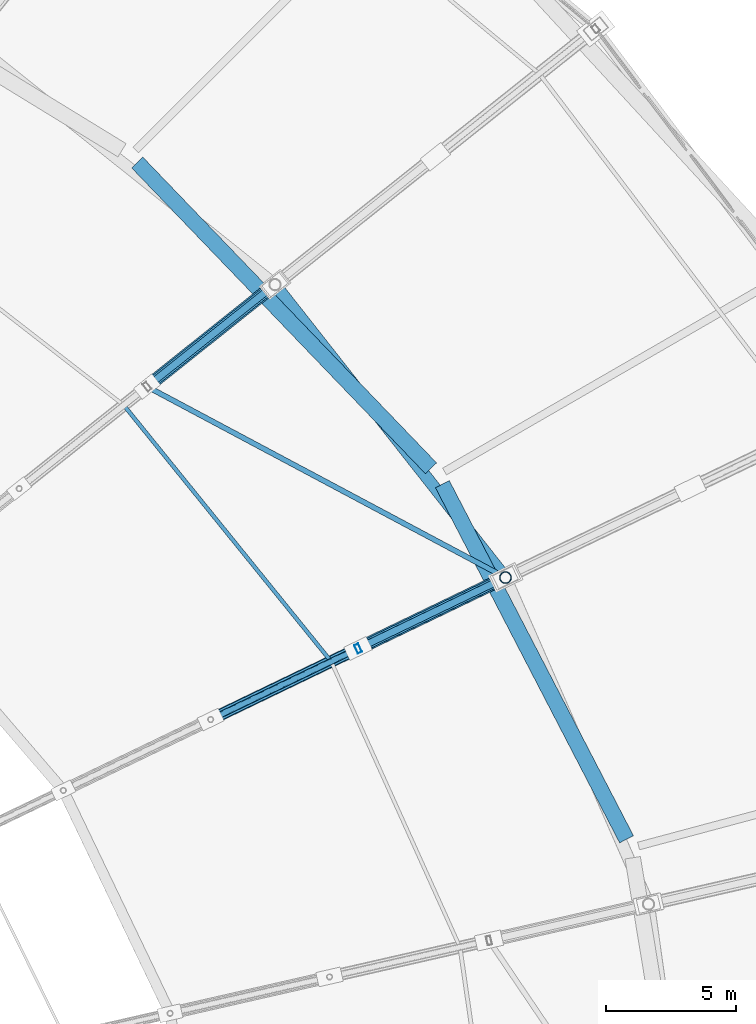
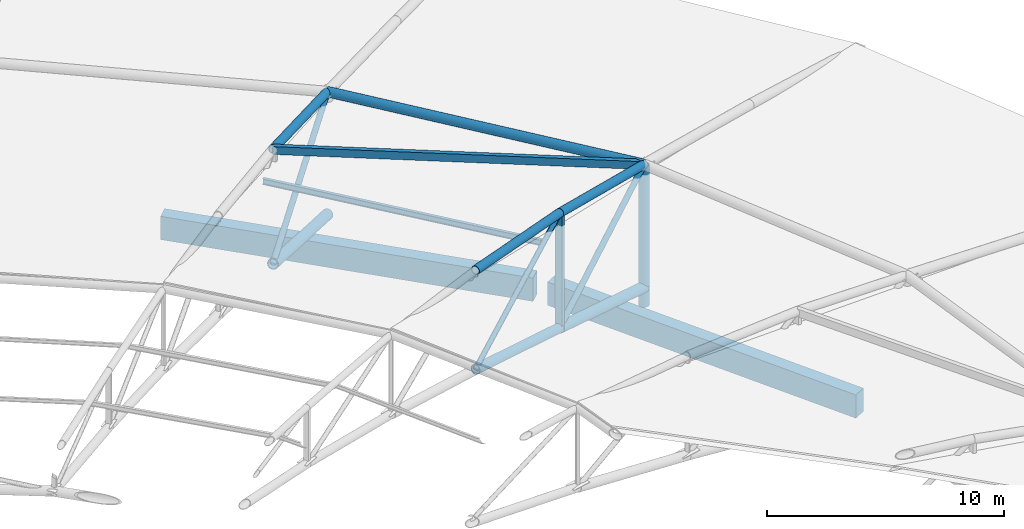
# One storey, part 78 of 108: 14 members, 2 beams.
"""IFC4 building model written with IfcOpenShell, lengths in metres."""

import ifcopenshell
import ifcopenshell.guid

model = None  # the IFC model being written
_history = None  # IfcOwnerHistory: only IFC2X3 demands one
_inside = {}  # id of a spatial element -> (the spatial element, [elements in it])
_under = {}  # id of a project, library or spatial element -> (it, [spatial elements below it])
_declared = {}  # id of a project -> (the project, [libraries it declares])
_typed = {}  # id of a type object -> (the type object, [elements of that type])
_made_of = {}  # id of a material, layer set ... -> (it, [elements and type objects made of it])


def new_model(schema):
    """Start an empty IFC model of exactly this schema.

    Asked for "IFC4X3", IfcOpenShell would pick the latest addendum, in which some entities
    have other attributes; the version numbers below select the first issue.
    IFC2X3 requires an IfcOwnerHistory on every rooted entity: one is made here for all.
    """
    global model, _history
    if schema == "IFC4X3":
        model = ifcopenshell.file(schema_version=(4, 3, 0, 0))
    else:
        model = ifcopenshell.file(schema=schema)
    _inside.clear()
    _under.clear()
    _declared.clear()
    _typed.clear()
    _made_of.clear()
    _history = None
    if model.schema == "IFC2X3":
        org = make("IfcOrganization", Name="unknown")
        user = make(
            "IfcPersonAndOrganization",
            ThePerson=make("IfcPerson", FamilyName="unknown"),
            TheOrganization=org,
        )
        app = make(
            "IfcApplication",
            ApplicationDeveloper=org,
            Version="unknown",
            ApplicationFullName="unknown",
            ApplicationIdentifier="unknown",
        )
        _history = make(
            "IfcOwnerHistory",
            OwningUser=user,
            OwningApplication=app,
            ChangeAction="ADDED",
            CreationDate=0,
        )
    return model


def make(cls, **values):
    """One entity of the class cls with the attributes given. An attribute that is None is left unset."""
    return model.create_entity(
        cls, **{name: value for name, value in values.items() if value is not None}
    )


def rooted(cls, **values):
    """An entity with a GlobalId (a new one), such as an element, a storey or a relation."""
    return make(cls, GlobalId=ifcopenshell.guid.new(), OwnerHistory=_history, **values)


def si_unit(unit_type, name, prefix=None):
    """IfcSIUnit, for example si_unit("LENGTHUNIT", "METRE", prefix="MILLI")."""
    return make("IfcSIUnit", UnitType=unit_type, Prefix=prefix, Name=name)


def assignment(units):
    """IfcUnitAssignment: the units of a project."""
    return None if units is None else make("IfcUnitAssignment", Units=units)


def point(xyz):
    """IfcCartesianPoint."""
    return None if xyz is None else make("IfcCartesianPoint", Coordinates=xyz)


def direction(xyz):
    """IfcDirection."""
    return None if xyz is None else make("IfcDirection", DirectionRatios=xyz)


def frame(location, z_axis=None, x_axis=None):
    """IfcAxis2Placement3D, a coordinate frame: its origin and axes. An axis left out is left unset."""
    return make(
        "IfcAxis2Placement3D",
        Location=point(location),
        Axis=direction(z_axis),
        RefDirection=direction(x_axis),
    )


def frame_2d(location, x_axis=None):
    """IfcAxis2Placement2D, a coordinate frame in the plane: its origin and x axis."""
    return make(
        "IfcAxis2Placement2D", Location=point(location), RefDirection=direction(x_axis)
    )


def origin():
    """The frame at (0, 0, 0) with its axes left unset."""
    return frame((0.0, 0.0, 0.0))


def origin_2d():
    """The frame at (0, 0) in the plane with its x axis left unset."""
    return frame_2d((0.0, 0.0))


def place(relative_to, where):
    """IfcLocalPlacement: puts the frame where relative to a parent placement (None: the world)."""
    return make(
        "IfcLocalPlacement", PlacementRelTo=relative_to, RelativePlacement=where
    )


def context(
    kind, dimensions, precision=None, world=None, true_north=None, identifier=None
):
    """IfcGeometricRepresentationContext, for example the 3D "Model" context."""
    return make(
        "IfcGeometricRepresentationContext",
        ContextIdentifier=identifier,
        ContextType=kind,
        CoordinateSpaceDimension=dimensions,
        Precision=precision,
        WorldCoordinateSystem=world,
        TrueNorth=true_north,
    )


def subcontext(parent, identifier, kind, view, scale=None):
    """IfcGeometricRepresentationSubContext, for example "Body" below "Model"."""
    return make(
        "IfcGeometricRepresentationSubContext",
        ContextIdentifier=identifier,
        ContextType=kind,
        ParentContext=parent,
        TargetScale=scale,
        TargetView=view,
    )


def project(units=None, contexts=None):
    """IfcProject with its units and contexts."""
    return rooted(
        "IfcProject",
        Name="project",
        RepresentationContexts=contexts,
        UnitsInContext=assignment(units),
    )


def spatial(cls, under=None, at=None, **own):
    """A site, building, storey or space (cls), placed at a placement, below another one or the project."""
    s = rooted(cls, ObjectPlacement=at, **own)
    if under is not None:
        _under.setdefault(under.id(), (under, []))[1].append(s)
    return s


def profile(cls, at=None, kind="AREA", **sizes):
    """A parametric profile (cls). Its sizes go by their IFC names, for example OverallWidth=200.0."""
    return make(cls, ProfileType=kind, Position=at, **sizes)


def rectangle(**sizes):
    """IfcRectangleProfileDef."""
    return profile("IfcRectangleProfileDef", **sizes)


def hollow_rectangle(**sizes):
    """IfcRectangleHollowProfileDef."""
    return profile("IfcRectangleHollowProfileDef", **sizes)


def hollow_circle(**sizes):
    """IfcCircleHollowProfileDef."""
    return profile("IfcCircleHollowProfileDef", **sizes)


def i_section(**sizes):
    """IfcIShapeProfileDef."""
    return profile("IfcIShapeProfileDef", **sizes)


def extrude(swept, where, along, depth):
    """IfcExtrudedAreaSolid: the profile swept, set in the frame where, extruded along a direction by depth."""
    return make(
        "IfcExtrudedAreaSolid",
        SweptArea=swept,
        Position=where,
        ExtrudedDirection=direction(along),
        Depth=depth,
    )


def shape(context_of_items, identifier, shape_type, items):
    """IfcShapeRepresentation: the items that make up one representation, for example the "Body"."""
    return make(
        "IfcShapeRepresentation",
        ContextOfItems=context_of_items,
        RepresentationIdentifier=identifier,
        RepresentationType=shape_type,
        Items=items,
    )


def material(Name=None, Category=None):
    """IfcMaterial."""
    return make("IfcMaterial", Name=Name, Category=Category)


def material_profile(
    of_material, cross_section, Name=None, Category=None, Priority=None
):
    """IfcMaterialProfile: a cross section and its material."""
    return make(
        "IfcMaterialProfile",
        Name=Name,
        Material=of_material,
        Profile=cross_section,
        Priority=Priority,
        Category=Category,
    )


def profile_set(profiles, Name=None, composite=None):
    """IfcMaterialProfileSet."""
    return make(
        "IfcMaterialProfileSet",
        Name=Name,
        MaterialProfiles=profiles,
        CompositeProfile=composite,
    )


def made_of(thing, what):
    """Note that an element or type object is made of a material, layer set ...; save() writes the relation."""
    if what is not None:
        _made_of.setdefault(what.id(), (what, []))[1].append(thing)
    return thing


def type_object(cls, material=None, **own):
    """A type object (cls), such as IfcWallType, which elements share."""
    return made_of(rooted(cls, **own), material)


def element(
    cls,
    number,
    at=None,
    inside=None,
    cuts=None,
    type_object=None,
    material=None,
    context=None,
    identifier="Body",
    shape_type=None,
    held_by="IfcProductDefinitionShape",
    body=None,
    shapes=None,
    **own,
):
    """One element of the class cls, such as IfcWall. Its Tag is "e" and its number.

    at: its placement. inside: the storey or other place that contains it. cuts: it is an
    opening in that element (IfcRelVoidsElement). A single representation is given by context,
    identifier, shape_type and body (its items); several are given by shapes. held_by: the class
    of the entity that holds the representations. save() writes the other relations.
    """
    e = rooted(cls, Tag="e%d" % number, ObjectPlacement=at, **own)
    if body is not None:
        shapes = [shape(context, identifier, shape_type, body)]
    if shapes is not None:
        e.Representation = make(held_by, Representations=shapes)
    if inside is not None:
        _inside.setdefault(inside.id(), (inside, []))[1].append(e)
    if cuts is not None:
        rooted(
            "IfcRelVoidsElement", RelatingBuildingElement=cuts, RelatedOpeningElement=e
        )
    if type_object is not None:
        _typed.setdefault(type_object.id(), (type_object, []))[1].append(e)
    return made_of(e, material)


def aggregate(whole, parts):
    """IfcRelAggregates: a whole, such as a stair, and the parts it consists of."""
    return rooted("IfcRelAggregates", RelatingObject=whole, RelatedObjects=parts)


def save(model, path):
    """Write the relations noted so far, then the file.

    IfcRelAggregates (storeys below a building ...), IfcRelContainedInSpatialStructure (elements
    in a storey), IfcRelDefinesByType, IfcRelAssociatesMaterial and IfcRelDeclares: one each for
    every whole, place, type object, material and project.
    """
    for whole, parts in _under.values():
        aggregate(whole, parts)
    for where, things in _inside.values():
        rooted(
            "IfcRelContainedInSpatialStructure",
            RelatedElements=things,
            RelatingStructure=where,
        )
    for kind, things in _typed.values():
        rooted("IfcRelDefinesByType", RelatedObjects=things, RelatingType=kind)
    for what, things in _made_of.values():
        rooted("IfcRelAssociatesMaterial", RelatedObjects=things, RelatingMaterial=what)
    for by, libraries in _declared.values():
        rooted("IfcRelDeclares", RelatingContext=by, RelatedDefinitions=libraries)
    model.write(path)


model = new_model("IFC4")

# Units and contexts
model_context = context("Model", 3, precision=1e-05, world=origin(), true_north=direction((0.0, 1.0)))
body_context = subcontext(model_context, "Body", "Model", "MODEL_VIEW")
ifc_project = project(units=[si_unit("LENGTHUNIT", "METRE"), si_unit("AREAUNIT", "SQUARE_METRE"), si_unit("VOLUMEUNIT", "CUBIC_METRE"), si_unit("PLANEANGLEUNIT", "RADIAN"), si_unit("MASSUNIT", "GRAM", prefix="KILO")], contexts=[model_context])

# Site, building, storey
site_placement = place(None, origin())
site = spatial("IfcSite", under=ifc_project, at=site_placement, CompositionType="ELEMENT")
building_placement = place(site_placement, origin())
building = spatial("IfcBuilding", under=site, at=building_placement, Name="Zevraka Park Crest Stadium", CompositionType="ELEMENT")
storey_placement = place(building_placement, frame((0.0, 0.0, 29.39990234375)))
storey = spatial("IfcBuildingStorey", under=building, at=storey_placement, Name="RF", CompositionType="ELEMENT", Elevation=29.39990234375)

# Member
ifc_material_1 = material(Name="Steel S355", Category="steel")
ifc_material_profile_1 = material_profile(ifc_material_1, i_section(OverallWidth=0.14990234375, OverallDepth=0.300048828125, WebThickness=0.007080078125, FlangeThickness=0.0107421875, at=origin_2d()), Name="IPE 300")
ifc_profile_set_1 = profile_set([ifc_material_profile_1], Name="Steel S355")
member_type_1 = type_object("IfcMemberType", Name="PR02", PredefinedType="PURLIN", material=ifc_profile_set_1)
member_1_placement = place(storey_placement, frame((172.410888671875, 114.583984375, 7.47314453125), z_axis=(-0.629088704104, 0.777333520677, 0.0), x_axis=(-0.777333520677, -0.629088704104, 0.0)))
element("IfcMember", 1, at=member_1_placement, inside=storey, type_object=member_type_1, Name="Canopy Roof Purlin PR02 OUTER-03-2", PredefinedType="PURLIN", context=body_context, shape_type="SweptSolid", body=[
    extrude(i_section(OverallWidth=0.14990234375, OverallDepth=0.300048828125, WebThickness=0.007080078125, FlangeThickness=0.0107421875, at=origin_2d()), origin(), (0.0, 0.0, 1.0), 12.697509765625),
])

# Beams
ifc_material_2 = material(Name="Concrete C40/50", Category="concrete")
ifc_material_profile_2 = material_profile(ifc_material_2, rectangle(XDim=0.60009765625, YDim=1.199951171875, at=origin_2d()), Name="RC 1200x600")
ifc_profile_set_2 = profile_set([ifc_material_profile_2], Name="Concrete C40/50")
beam_type = type_object("IfcBeamType", Name="RB01", PredefinedType="BEAM", material=ifc_profile_set_2)
beam_1_placement = place(storey_placement, frame((183.785888671875, 107.737060546875, -0.599853515625), z_axis=(-0.460343993973, 0.887740619333, 0.0), x_axis=(-0.887740619333, -0.460343993973, 0.0)))
element("IfcBeam", 2, at=beam_1_placement, inside=storey, type_object=beam_type, Name="Ring Beam RB01 RF-B-01", PredefinedType="BEAM", context=body_context, shape_type="SweptSolid", body=[
    extrude(rectangle(XDim=0.60009765625, YDim=1.199951171875, at=origin_2d()), origin(), (0.0, 0.0, 1.0), 15.405517578125),
])
beam_2_placement = place(storey_placement, frame((176.256103515625, 122.02392578125, -0.599853515625), z_axis=(-0.692852617328, 0.721079226342, 0.0), x_axis=(-0.721079226342, -0.692852617328, 0.0)))
element("IfcBeam", 3, at=beam_2_placement, inside=storey, type_object=beam_type, Name="Ring Beam RB01 RF-B-02", PredefinedType="BEAM", context=body_context, shape_type="SweptSolid", body=[
    extrude(rectangle(XDim=0.60009765625, YDim=1.199951171875, at=origin_2d()), origin(), (0.0, 0.0, 1.0), 16.329833984375),
])

# Members
ifc_material_3 = material(Name="Steel S355", Category="steel")
ifc_material_profile_3 = material_profile(ifc_material_3, hollow_circle(Radius=0.25390625, WallThickness=0.030029296875, at=origin_2d()), Name="CHS 508.0x30")
ifc_profile_set_3 = profile_set([ifc_material_profile_3], Name="Steel S355")
member_type_2 = type_object("IfcMemberType", Name="TC01", PredefinedType="CHORD", material=ifc_profile_set_3)
for number, where, z_axis, x_axis, name in (
    (4, (179.1220703125, 117.81591796875, 0.900146484375), (-0.874906219459, -0.42125253648, 0.238925527435), (0.433816783994, -0.901001108726, 0.0), "Roof Truss Bottom Chord TC01 T03-3"),
    (5, (170.24609375, 129.097900390625, 0.900146484375), (-0.759158693426, -0.605467913475, 0.238928198313), (0.623526977414, -0.781801834506, 0.0), "Roof Truss Bottom Chord TC01 T04-3"),
):
    element("IfcMember", number, at=place(storey_placement, frame(where, z_axis=z_axis, x_axis=x_axis)), inside=storey, type_object=member_type_2, Name=name, PredefinedType="CHORD", context=body_context, shape_type="SweptSolid", body=[
        extrude(hollow_circle(Radius=0.25390625, WallThickness=0.030029296875, at=origin_2d()), origin(), (0.0, 0.0, 1.0), 6.487548828125),
    ])
ifc_material_4 = material(Name="Steel S355", Category="steel")
ifc_material_profile_4 = material_profile(ifc_material_4, hollow_circle(Radius=0.228515625, WallThickness=0.02490234375, at=origin_2d()), Name="CHS 457.0x25")
ifc_profile_set_4 = profile_set([ifc_material_profile_4], Name="Steel S355")
member_type_3 = type_object("IfcMemberType", Name="TC02", PredefinedType="CHORD", material=ifc_profile_set_4)
member_2_placement = place(storey_placement, frame((179.1220703125, 117.81591796875, 0.0), z_axis=(0.0, 0.0, 1.0), x_axis=(0.90100131981, 0.43381634559, 0.0)))
element("IfcMember", 6, at=member_2_placement, inside=storey, type_object=member_type_3, Name="Roof Truss Anchor Strut TC02 T03-2", PredefinedType="CHORD", context=body_context, shape_type="SweptSolid", body=[
    extrude(hollow_circle(Radius=0.228515625, WallThickness=0.02490234375, at=origin_2d()), origin(), (0.0, 0.0, 1.0), 7.2001953125),
])
member_3_placement = place(storey_placement, frame((173.446044921875, 115.0830078125, 2.4501953125), z_axis=(-0.876441359224, -0.42214247239, 0.231616659257), x_axis=(0.433942615061, -0.900940512373, 0.0)))
element("IfcMember", 7, at=member_3_placement, inside=storey, type_object=member_type_3, Name="Roof Truss Bottom Chord TC02 T03-4", PredefinedType="CHORD", context=body_context, shape_type="SweptSolid", body=[
    extrude(hollow_circle(Radius=0.228515625, WallThickness=0.02490234375, at=origin_2d()), origin(), (0.0, 0.0, 1.0), 6.476318359375),
])
member_4_placement = place(storey_placement, frame((179.1220703125, 117.81591796875, 7.2001953125), z_axis=(-0.618319416276, 0.785926904652, 0.0), x_axis=(-0.785926904652, -0.618319416276, 0.0)))
element("IfcMember", 8, at=member_4_placement, inside=storey, type_object=member_type_3, Name="Roof Main Bowl-Rim Ring Chord TC02 03", PredefinedType="CHORD", context=body_context, shape_type="SweptSolid", body=[
    extrude(hollow_circle(Radius=0.228515625, WallThickness=0.02490234375, at=origin_2d()), origin(), (0.0, 0.0, 1.0), 14.35498046875),
])
ifc_material_5 = material(Name="Steel S355", Category="steel")
ifc_material_profile_5 = material_profile(ifc_material_5, hollow_circle(Radius=0.203125, WallThickness=0.02001953125, at=origin_2d()), Name="CHS 406.4x20")
ifc_profile_set_5 = profile_set([ifc_material_profile_5], Name="Steel S355")
member_type_4 = type_object("IfcMemberType", Name="TC03", PredefinedType="CHORD", material=ifc_profile_set_5)
member_5_placement = place(storey_placement, frame((179.1220703125, 117.81591796875, 7.2001953125), z_axis=(-0.886356119911, -0.426765469753, 0.179566317897), x_axis=(0.433816783994, -0.901001108726, 0.0)))
element("IfcMember", 9, at=member_5_placement, inside=storey, type_object=member_type_4, Name="Roof Truss Top Chord TC03 T03-3", PredefinedType="CHORD", context=body_context, shape_type="SweptSolid", body=[
    extrude(hollow_circle(Radius=0.203125, WallThickness=0.02001953125, at=origin_2d()), origin(), (0.0, 0.0, 1.0), 6.40380859375),
])
member_6_placement = place(storey_placement, frame((173.446044921875, 115.0830078125, 8.35009765625), z_axis=(-0.895431075511, -0.431288966561, 0.110421992064), x_axis=(0.433942615061, -0.900940512373, 0.0)))
element("IfcMember", 10, at=member_6_placement, inside=storey, type_object=member_type_4, Name="Roof Truss Top Chord TC03 T03-4", PredefinedType="CHORD", context=body_context, shape_type="SweptSolid", body=[
    extrude(hollow_circle(Radius=0.203125, WallThickness=0.02001953125, at=origin_2d()), origin(), (0.0, 0.0, 1.0), 6.3388671875),
])
member_7_placement = place(storey_placement, frame((170.24609375, 129.097900390625, 7.2001953125), z_axis=(-0.769094032143, -0.613391854615, 0.179568378099), x_axis=(0.623526977414, -0.781801834506, 0.0)))
element("IfcMember", 11, at=member_7_placement, inside=storey, type_object=member_type_4, Name="Roof Truss Top Chord TC03 T04-3", PredefinedType="CHORD", context=body_context, shape_type="SweptSolid", body=[
    extrude(hollow_circle(Radius=0.203125, WallThickness=0.02001953125, at=origin_2d()), origin(), (0.0, 0.0, 1.0), 6.40380859375),
])
ifc_material_6 = material(Name="Steel S355", Category="steel")
ifc_material_profile_6 = material_profile(ifc_material_6, hollow_circle(Radius=0.136474609375, WallThickness=0.012451171875, at=origin_2d()), Name="CHS 273.0x12.5")
ifc_profile_set_6 = profile_set([ifc_material_profile_6], Name="Steel S355")
member_type_5 = type_object("IfcMemberType", Name="WB01", PredefinedType="BRACE", material=ifc_profile_set_6)
member_8_placement = place(storey_placement, frame((173.446044921875, 115.0830078125, 2.4501953125), z_axis=(0.719415295857, 0.346386288521, 0.602044991019), x_axis=(-0.433816783994, 0.901001108726, 0.0)))
element("IfcMember", 12, at=member_8_placement, inside=storey, type_object=member_type_5, Name="Roof Truss Web Diagonal WB01 T03-3", PredefinedType="BRACE", context=body_context, shape_type="SweptSolid", body=[
    extrude(hollow_circle(Radius=0.136474609375, WallThickness=0.012451171875, at=origin_2d()), origin(), (0.0, 0.0, 1.0), 7.889892578125),
])
member_9_placement = place(storey_placement, frame((165.321044921875, 125.169921875, 2.4501953125), z_axis=(0.62423650288, 0.49786056089, 0.602049541468), x_axis=(-0.623526977414, 0.781801834506, 0.0)))
element("IfcMember", 13, at=member_9_placement, inside=storey, type_object=member_type_5, Name="Roof Truss Web Diagonal WB01 T04-3", PredefinedType="BRACE", context=body_context, shape_type="SweptSolid", body=[
    extrude(hollow_circle(Radius=0.136474609375, WallThickness=0.012451171875, at=origin_2d()), origin(), (0.0, 0.0, 1.0), 7.8896484375),
])
ifc_material_7 = material(Name="Steel S355", Category="steel")
ifc_material_profile_7 = material_profile(ifc_material_7, hollow_rectangle(XDim=0.199951171875, YDim=0.39990234375, WallThickness=0.01611328125, at=origin_2d()), Name="RHS 400x200x16")
ifc_profile_set_7 = profile_set([ifc_material_profile_7], Name="Steel S355")
member_type_6 = type_object("IfcMemberType", Name="WB06", PredefinedType="BRACE", material=ifc_profile_set_7)
member_10_placement = place(storey_placement, frame((179.1220703125, 117.81591796875, 7.2001953125), z_axis=(-0.880150340784, 0.468996242019, 0.073334184314), x_axis=(-0.470262459562, -0.882526611002, 0.0)))
element("IfcMember", 14, at=member_10_placement, inside=storey, type_object=member_type_6, Name="Canopy Roof Wind Brace WB06 03", PredefinedType="BRACE", context=body_context, shape_type="SweptSolid", body=[
    extrude(hollow_rectangle(XDim=0.199951171875, YDim=0.39990234375, WallThickness=0.01611328125, at=origin_2d()), origin(), (0.0, 0.0, 1.0), 15.680419921875),
])
ifc_material_8 = material(Name="Steel S355", Category="steel")
ifc_material_profile_8 = material_profile(ifc_material_8, hollow_circle(Radius=0.122314453125, WallThickness=0.012451171875, at=origin_2d()), Name="CHS 244.5x12.5")
ifc_profile_set_8 = profile_set([ifc_material_profile_8], Name="Steel S355")
member_type_7 = type_object("IfcMemberType", Name="WB07", PredefinedType="BRACE", material=ifc_profile_set_8)
member_11_placement = place(storey_placement, frame((167.77001953125, 112.34912109375, 3.9501953125), z_axis=(0.738639259937, 0.355769385039, 0.572573303909), x_axis=(-0.433942615061, 0.900940512373, 0.0)))
element("IfcMember", 15, at=member_11_placement, inside=storey, type_object=member_type_7, Name="Roof Truss Web Diagonal WB07 T03-4", PredefinedType="BRACE", context=body_context, shape_type="SweptSolid", body=[
    extrude(hollow_circle(Radius=0.122314453125, WallThickness=0.012451171875, at=origin_2d()), origin(), (0.0, 0.0, 1.0), 7.684326171875),
])
ifc_material_9 = material(Name="Steel S355", Category="steel")
ifc_material_profile_9 = material_profile(ifc_material_9, hollow_rectangle(XDim=0.175048828125, YDim=0.35009765625, WallThickness=0.012451171875, at=origin_2d()), Name="RHS 350x175x12.5")
ifc_profile_set_9 = profile_set([ifc_material_profile_9], Name="Steel S355")
member_type_8 = type_object("IfcMemberType", Name="WB09", PredefinedType="BRACE", material=ifc_profile_set_9)
member_12_placement = place(storey_placement, frame((173.446044921875, 115.0830078125, 2.4501953125), z_axis=(0.0, 0.0, 1.0), x_axis=(0.90100131981, 0.43381634559, 0.0)))
element("IfcMember", 16, at=member_12_placement, inside=storey, type_object=member_type_8, Name="Roof Truss Web Post WB09 T03-3", PredefinedType="BRACE", context=body_context, shape_type="SweptSolid", body=[
    extrude(hollow_rectangle(XDim=0.175048828125, YDim=0.35009765625, WallThickness=0.012451171875, at=origin_2d()), origin(), (0.0, 0.0, 1.0), 5.89990234375),
])

save(model, "model.ifc")
